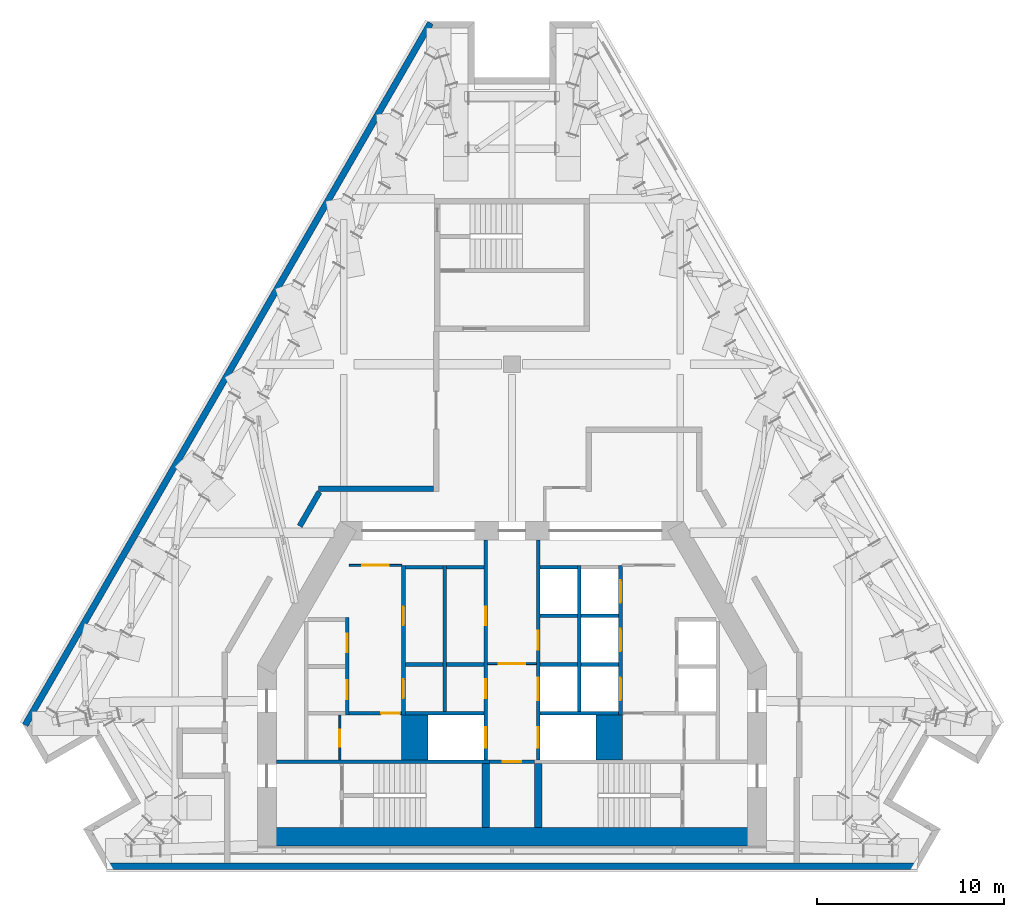
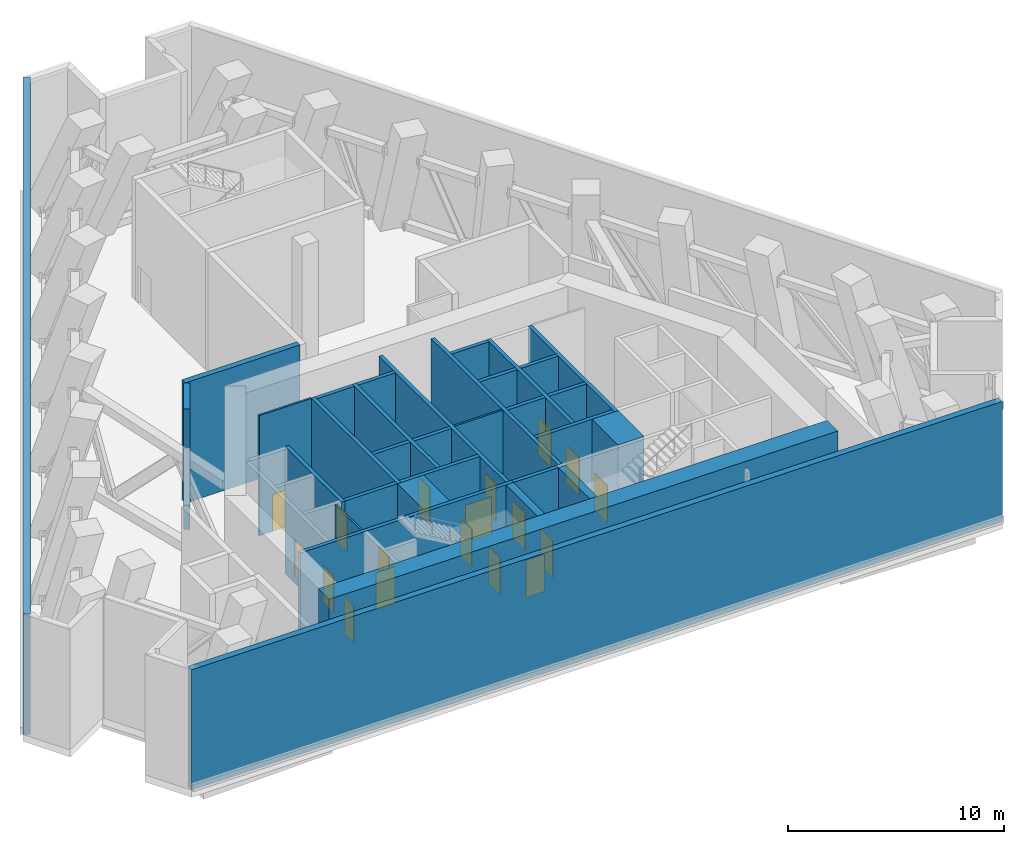
# One storey, part 5 of 13: 33 walls, 18 doors, 18 openings.
"""IFC4 building model written with IfcOpenShell, lengths in metres."""

import ifcopenshell
import ifcopenshell.guid

model = None  # the IFC model being written
_history = None  # IfcOwnerHistory: only IFC2X3 demands one
_inside = {}  # id of a spatial element -> (the spatial element, [elements in it])
_under = {}  # id of a project, library or spatial element -> (it, [spatial elements below it])
_declared = {}  # id of a project -> (the project, [libraries it declares])
_typed = {}  # id of a type object -> (the type object, [elements of that type])
_made_of = {}  # id of a material, layer set ... -> (it, [elements and type objects made of it])


def new_model(schema):
    """Start an empty IFC model of exactly this schema.

    Asked for "IFC4X3", IfcOpenShell would pick the latest addendum, in which some entities
    have other attributes; the version numbers below select the first issue.
    IFC2X3 requires an IfcOwnerHistory on every rooted entity: one is made here for all.
    """
    global model, _history
    if schema == "IFC4X3":
        model = ifcopenshell.file(schema_version=(4, 3, 0, 0))
    else:
        model = ifcopenshell.file(schema=schema)
    _inside.clear()
    _under.clear()
    _declared.clear()
    _typed.clear()
    _made_of.clear()
    _history = None
    if model.schema == "IFC2X3":
        org = make("IfcOrganization", Name="unknown")
        user = make(
            "IfcPersonAndOrganization",
            ThePerson=make("IfcPerson", FamilyName="unknown"),
            TheOrganization=org,
        )
        app = make(
            "IfcApplication",
            ApplicationDeveloper=org,
            Version="unknown",
            ApplicationFullName="unknown",
            ApplicationIdentifier="unknown",
        )
        _history = make(
            "IfcOwnerHistory",
            OwningUser=user,
            OwningApplication=app,
            ChangeAction="ADDED",
            CreationDate=0,
        )
    return model


def make(cls, **values):
    """One entity of the class cls with the attributes given. An attribute that is None is left unset."""
    return model.create_entity(
        cls, **{name: value for name, value in values.items() if value is not None}
    )


def rooted(cls, **values):
    """An entity with a GlobalId (a new one), such as an element, a storey or a relation."""
    return make(cls, GlobalId=ifcopenshell.guid.new(), OwnerHistory=_history, **values)


def si_unit(unit_type, name, prefix=None):
    """IfcSIUnit, for example si_unit("LENGTHUNIT", "METRE", prefix="MILLI")."""
    return make("IfcSIUnit", UnitType=unit_type, Prefix=prefix, Name=name)


def assignment(units):
    """IfcUnitAssignment: the units of a project."""
    return None if units is None else make("IfcUnitAssignment", Units=units)


def point(xyz):
    """IfcCartesianPoint."""
    return None if xyz is None else make("IfcCartesianPoint", Coordinates=xyz)


def direction(xyz):
    """IfcDirection."""
    return None if xyz is None else make("IfcDirection", DirectionRatios=xyz)


def frame(location, z_axis=None, x_axis=None):
    """IfcAxis2Placement3D, a coordinate frame: its origin and axes. An axis left out is left unset."""
    return make(
        "IfcAxis2Placement3D",
        Location=point(location),
        Axis=direction(z_axis),
        RefDirection=direction(x_axis),
    )


def frame_2d(location, x_axis=None):
    """IfcAxis2Placement2D, a coordinate frame in the plane: its origin and x axis."""
    return make(
        "IfcAxis2Placement2D", Location=point(location), RefDirection=direction(x_axis)
    )


def origin():
    """The frame at (0, 0, 0) with its axes left unset."""
    return frame((0.0, 0.0, 0.0))


def place(relative_to, where):
    """IfcLocalPlacement: puts the frame where relative to a parent placement (None: the world)."""
    return make(
        "IfcLocalPlacement", PlacementRelTo=relative_to, RelativePlacement=where
    )


def context(
    kind, dimensions, precision=None, world=None, true_north=None, identifier=None
):
    """IfcGeometricRepresentationContext, for example the 3D "Model" context."""
    return make(
        "IfcGeometricRepresentationContext",
        ContextIdentifier=identifier,
        ContextType=kind,
        CoordinateSpaceDimension=dimensions,
        Precision=precision,
        WorldCoordinateSystem=world,
        TrueNorth=true_north,
    )


def subcontext(parent, identifier, kind, view, scale=None):
    """IfcGeometricRepresentationSubContext, for example "Body" below "Model"."""
    return make(
        "IfcGeometricRepresentationSubContext",
        ContextIdentifier=identifier,
        ContextType=kind,
        ParentContext=parent,
        TargetScale=scale,
        TargetView=view,
    )


def project(units=None, contexts=None):
    """IfcProject with its units and contexts."""
    return rooted(
        "IfcProject",
        Name="project",
        RepresentationContexts=contexts,
        UnitsInContext=assignment(units),
    )


def spatial(cls, under=None, at=None, **own):
    """A site, building, storey or space (cls), placed at a placement, below another one or the project."""
    s = rooted(cls, ObjectPlacement=at, **own)
    if under is not None:
        _under.setdefault(under.id(), (under, []))[1].append(s)
    return s


def profile(cls, at=None, kind="AREA", **sizes):
    """A parametric profile (cls). Its sizes go by their IFC names, for example OverallWidth=200.0."""
    return make(cls, ProfileType=kind, Position=at, **sizes)


def rectangle(**sizes):
    """IfcRectangleProfileDef."""
    return profile("IfcRectangleProfileDef", **sizes)


def extrude(swept, where, along, depth):
    """IfcExtrudedAreaSolid: the profile swept, set in the frame where, extruded along a direction by depth."""
    return make(
        "IfcExtrudedAreaSolid",
        SweptArea=swept,
        Position=where,
        ExtrudedDirection=direction(along),
        Depth=depth,
    )


def shape(context_of_items, identifier, shape_type, items):
    """IfcShapeRepresentation: the items that make up one representation, for example the "Body"."""
    return make(
        "IfcShapeRepresentation",
        ContextOfItems=context_of_items,
        RepresentationIdentifier=identifier,
        RepresentationType=shape_type,
        Items=items,
    )


def material(Name=None, Category=None):
    """IfcMaterial."""
    return make("IfcMaterial", Name=Name, Category=Category)


def layer(
    of_material, thickness, ventilated=None, Name=None, Category=None, Priority=None
):
    """IfcMaterialLayer: one layer of a wall or slab, of a material (None: an air gap)."""
    return make(
        "IfcMaterialLayer",
        Material=of_material,
        LayerThickness=thickness,
        IsVentilated=ventilated,
        Name=Name,
        Category=Category,
        Priority=Priority,
    )


def layer_set(layers, Name=None):
    """IfcMaterialLayerSet."""
    return make("IfcMaterialLayerSet", MaterialLayers=layers, LayerSetName=Name)


def made_of(thing, what):
    """Note that an element or type object is made of a material, layer set ...; save() writes the relation."""
    if what is not None:
        _made_of.setdefault(what.id(), (what, []))[1].append(thing)
    return thing


def type_object(cls, material=None, **own):
    """A type object (cls), such as IfcWallType, which elements share."""
    return made_of(rooted(cls, **own), material)


def element(
    cls,
    number,
    at=None,
    inside=None,
    cuts=None,
    type_object=None,
    material=None,
    context=None,
    identifier="Body",
    shape_type=None,
    held_by="IfcProductDefinitionShape",
    body=None,
    shapes=None,
    **own,
):
    """One element of the class cls, such as IfcWall. Its Tag is "e" and its number.

    at: its placement. inside: the storey or other place that contains it. cuts: it is an
    opening in that element (IfcRelVoidsElement). A single representation is given by context,
    identifier, shape_type and body (its items); several are given by shapes. held_by: the class
    of the entity that holds the representations. save() writes the other relations.
    """
    e = rooted(cls, Tag="e%d" % number, ObjectPlacement=at, **own)
    if body is not None:
        shapes = [shape(context, identifier, shape_type, body)]
    if shapes is not None:
        e.Representation = make(held_by, Representations=shapes)
    if inside is not None:
        _inside.setdefault(inside.id(), (inside, []))[1].append(e)
    if cuts is not None:
        rooted(
            "IfcRelVoidsElement", RelatingBuildingElement=cuts, RelatedOpeningElement=e
        )
    if type_object is not None:
        _typed.setdefault(type_object.id(), (type_object, []))[1].append(e)
    return made_of(e, material)


def fill(opening, filler):
    """IfcRelFillsElement: the door or window that sits in an opening."""
    return rooted(
        "IfcRelFillsElement",
        RelatingOpeningElement=opening,
        RelatedBuildingElement=filler,
    )


def aggregate(whole, parts):
    """IfcRelAggregates: a whole, such as a stair, and the parts it consists of."""
    return rooted("IfcRelAggregates", RelatingObject=whole, RelatedObjects=parts)


def save(model, path):
    """Write the relations noted so far, then the file.

    IfcRelAggregates (storeys below a building ...), IfcRelContainedInSpatialStructure (elements
    in a storey), IfcRelDefinesByType, IfcRelAssociatesMaterial and IfcRelDeclares: one each for
    every whole, place, type object, material and project.
    """
    for whole, parts in _under.values():
        aggregate(whole, parts)
    for where, things in _inside.values():
        rooted(
            "IfcRelContainedInSpatialStructure",
            RelatedElements=things,
            RelatingStructure=where,
        )
    for kind, things in _typed.values():
        rooted("IfcRelDefinesByType", RelatedObjects=things, RelatingType=kind)
    for what, things in _made_of.values():
        rooted("IfcRelAssociatesMaterial", RelatedObjects=things, RelatingMaterial=what)
    for by, libraries in _declared.values():
        rooted("IfcRelDeclares", RelatingContext=by, RelatedDefinitions=libraries)
    model.write(path)


model = new_model("IFC4")

# Units and contexts
model_context = context("Model", 3, precision=1e-05, world=origin(), true_north=direction((0.0, 1.0)))
body_context = subcontext(model_context, "Body", "Model", "MODEL_VIEW")
ifc_project = project(units=[si_unit("LENGTHUNIT", "METRE"), si_unit("AREAUNIT", "SQUARE_METRE"), si_unit("VOLUMEUNIT", "CUBIC_METRE"), si_unit("PLANEANGLEUNIT", "RADIAN"), si_unit("MASSUNIT", "GRAM", prefix="KILO")], contexts=[model_context])

# Site, building, storey
site_placement = place(None, origin())
site = spatial("IfcSite", under=ifc_project, at=site_placement, CompositionType="ELEMENT")
building_placement = place(site_placement, origin())
building = spatial("IfcBuilding", under=site, at=building_placement, Name="Fogline Exchange Tower", CompositionType="ELEMENT")
storey_placement = place(building_placement, frame((0.0, 0.0, 259.5)))
storey = spatial("IfcBuildingStorey", under=building, at=storey_placement, Name="L59", CompositionType="ELEMENT", Elevation=259.5)

# Wall, opening, door
ifc_material_1 = material(Name="Blockwork partition", Category="masonry")
ifc_layer_1 = layer(ifc_material_1, 0.10009765625)
ifc_layer_set_1 = layer_set([ifc_layer_1], Name="CW10")
wall_type_1 = type_object("IfcWallType", Name="CW10", PredefinedType="PARTITIONING", material=ifc_layer_set_1)
wall_1_placement = place(storey_placement, frame((-8.699951171875, 16.25, 0.0), z_axis=(0.0, 0.0, 1.0), x_axis=(1.0, 0.0, 0.0)))
wall_1 = element("IfcWall", 1, at=wall_1_placement, inside=storey, type_object=wall_type_1, Name="Lift lobby partition", PredefinedType="PARTITIONING", context=body_context, shape_type="SweptSolid", body=[
    extrude(rectangle(XDim=2.800048828125, YDim=0.10009765625, at=frame_2d((1.39990234375, 0.0))), origin(), (0.0, 0.0, 1.0), 6.800048828125),
])
opening_1_placement = place(wall_1_placement, frame((0.699951171875, 0.0, 0.0)))
opening_1 = element("IfcOpeningElement", 2, at=opening_1_placement, cuts=wall_1, Name="Opening L59-C009", PredefinedType="OPENING", context=body_context, shape_type="SweptSolid", body=[
    extrude(rectangle(XDim=1.39990234375, YDim=2.10009765625, at=frame_2d((0.699951171875, 1.050048828125))), frame((0.0, 0.06005859375, 0.0), z_axis=(0.0, -1.0, 0.0), x_axis=(1.0, 0.0, 0.0)), (0.0, 0.0, 1.0), 0.1201171875),
])
ifc_material_2 = material(Name="Steel and timber fire door", Category="steel")
door_type_1 = type_object("IfcDoorType", Name="D-LB1", OperationType="DOUBLE_DOOR_SINGLE_SWING", PredefinedType="DOOR", material=ifc_material_2)
door_1_placement = place(opening_1_placement, origin())
door_1 = element("IfcDoor", 3, at=door_1_placement, inside=storey, type_object=door_type_1, Name="Door to lift lobby", OperationType="DOUBLE_DOOR_SINGLE_SWING", OverallHeight=2.10009765625, OverallWidth=1.39990234375, PredefinedType="DOOR", context=body_context, shape_type="SweptSolid", body=[
    extrude(rectangle(XDim=1.39990234375, YDim=2.10009765625, at=frame_2d((0.699951171875, 1.050048828125))), frame((0.0, 0.02490234375, 0.0), z_axis=(0.0, -1.0, 0.0), x_axis=(1.0, 0.0, 0.0)), (0.0, 0.0, 1.0), 0.050048828125),
])
fill(opening_1, door_1)

wall_2_placement = place(storey_placement, frame((-9.199951171875, 5.85009765625, 0.0), z_axis=(0.0, 0.0, 1.0), x_axis=(0.0, 1.0, 0.0)))
wall_2 = element("IfcWall", 4, at=wall_2_placement, inside=storey, type_object=wall_type_1, Name="WC partition", PredefinedType="PARTITIONING", context=body_context, shape_type="SweptSolid", body=[
    extrude(rectangle(XDim=2.39990234375, YDim=0.10009765625, at=frame_2d((1.199951171875, 0.0))), origin(), (0.0, 0.0, 1.0), 6.800048828125),
])
opening_2_placement = place(wall_2_placement, frame((0.699951171875, 0.0, 0.0)))
opening_2 = element("IfcOpeningElement", 5, at=opening_2_placement, cuts=wall_2, Name="Opening L59-C011", PredefinedType="OPENING", context=body_context, shape_type="SweptSolid", body=[
    extrude(rectangle(XDim=0.89990234375, YDim=2.10009765625, at=frame_2d((0.449951171875, 1.050048828125))), frame((0.0, 0.06005859375, 0.0), z_axis=(0.0, -1.0, 0.0), x_axis=(1.0, 0.0, 0.0)), (0.0, 0.0, 1.0), 0.1201171875),
])
door_type_2 = type_object("IfcDoorType", Name="D-CS1", OperationType="SINGLE_SWING_RIGHT", PredefinedType="DOOR", material=ifc_material_2)
door_2_placement = place(opening_2_placement, origin())
door_2 = element("IfcDoor", 6, at=door_2_placement, inside=storey, type_object=door_type_2, Name="Door to Plumbing Plant Room", OperationType="SINGLE_SWING_LEFT", OverallHeight=2.10009765625, OverallWidth=0.89990234375, PredefinedType="DOOR", context=body_context, shape_type="SweptSolid", body=[
    extrude(rectangle(XDim=0.89990234375, YDim=2.10009765625, at=frame_2d((0.449951171875, 1.050048828125))), frame((0.0, 0.02490234375, 0.0), z_axis=(0.0, -1.0, 0.0), x_axis=(1.0, 0.0, 0.0)), (0.0, 0.0, 1.0), 0.050048828125),
])
fill(opening_2, door_2)

wall_3_placement = place(storey_placement, frame((-1.300048828125, 11.0, 0.0), z_axis=(0.0, 0.0, 1.0), x_axis=(1.0, 0.0, 0.0)))
wall_3 = element("IfcWall", 7, at=wall_3_placement, inside=storey, type_object=wall_type_1, Name="Lift lobby partition", PredefinedType="PARTITIONING", context=body_context, shape_type="SweptSolid", body=[
    extrude(rectangle(XDim=2.60009765625, YDim=0.10009765625, at=frame_2d((1.300048828125, 0.0))), origin(), (0.0, 0.0, 1.0), 6.800048828125),
])
opening_3_placement = place(wall_3_placement, frame((0.60009765625, 0.0, 0.0)))
opening_3 = element("IfcOpeningElement", 8, at=opening_3_placement, cuts=wall_3, Name="Opening L59-C021", PredefinedType="OPENING", context=body_context, shape_type="SweptSolid", body=[
    extrude(rectangle(XDim=1.39990234375, YDim=2.10009765625, at=frame_2d((0.699951171875, 1.050048828125))), frame((0.0, 0.06005859375, 0.0), z_axis=(0.0, -1.0, 0.0), x_axis=(1.0, 0.0, 0.0)), (0.0, 0.0, 1.0), 0.1201171875),
])
door_3_placement = place(opening_3_placement, frame((1.39990234375, 0.0, 0.0), z_axis=(0.0, 0.0, 1.0), x_axis=(-1.0, 0.0, 0.0)))
door_3 = element("IfcDoor", 9, at=door_3_placement, inside=storey, type_object=door_type_1, Name="Door to firefighting lift lobby", OperationType="DOUBLE_DOOR_SINGLE_SWING", OverallHeight=2.10009765625, OverallWidth=1.39990234375, PredefinedType="DOOR", context=body_context, shape_type="SweptSolid", body=[
    extrude(rectangle(XDim=1.39990234375, YDim=2.10009765625, at=frame_2d((0.699951171875, 1.050048828125))), frame((0.0, 0.02490234375, 0.0), z_axis=(0.0, -1.0, 0.0), x_axis=(1.0, 0.0, 0.0)), (0.0, 0.0, 1.0), 0.050048828125),
])
fill(opening_3, door_3)

# Walls
ifc_material_3 = material(Name="Concrete C60", Category="concrete")
ifc_layer_2 = layer(ifc_material_3, 1.39990234375)
ifc_layer_set_2 = layer_set([ifc_layer_2], Name="CW140")
wall_type_2 = type_object("IfcWallType", Name="CW140", PredefinedType="SOLIDWALL", material=ifc_layer_set_2)
for number, where, z_axis, x_axis, name in (
    (10, (-5.199951171875, 5.85009765625, -0.39990234375), (0.0, 0.0, 1.0), (0.0, 1.0, 0.0), "Lift shaft block wall"),
    (11, (5.199951171875, 5.85009765625, -0.39990234375), (0.0, 0.0, 1.0), (0.0, 1.0, 0.0), "Lift shaft block wall"),
):
    element("IfcWall", number, at=place(storey_placement, frame(where, z_axis=z_axis, x_axis=x_axis)), inside=storey, type_object=wall_type_2, Name=name, PredefinedType="SOLIDWALL", context=body_context, shape_type="SweptSolid", body=[
        extrude(rectangle(XDim=2.39990234375, YDim=1.39990234375, at=frame_2d((1.199951171875, 0.0))), origin(), (0.0, 0.0, 1.0), 7.199951171875),
    ])
ifc_material_4 = material(Name="Concrete C40", Category="concrete")
ifc_layer_3 = layer(ifc_material_4, 0.199951171875)
ifc_layer_set_3 = layer_set([ifc_layer_3], Name="CW20")
wall_type_3 = type_object("IfcWallType", Name="CW20", PredefinedType="SOLIDWALL", material=ifc_layer_set_3)
for number, where, z_axis, x_axis, name in (
    (12, (-5.699951171875, 10.949951171875, 0.0), (0.0, 0.0, 1.0), (1.0, 0.0, 0.0), "Service room wall"),
    (13, (-3.5, 10.949951171875, 0.0), (0.0, 0.0, 1.0), (1.0, 0.0, 0.0), "Service room wall"),
):
    element("IfcWall", number, at=place(storey_placement, frame(where, z_axis=z_axis, x_axis=x_axis)), inside=storey, type_object=wall_type_3, Name=name, PredefinedType="SOLIDWALL", context=body_context, shape_type="SweptSolid", body=[
        extrude(rectangle(XDim=2.0, YDim=0.199951171875, at=frame_2d((1.0, 0.0))), origin(), (0.0, 0.0, 1.0), 6.800048828125),
    ])

# Wall, opening, door
wall_4_placement = place(storey_placement, frame((-8.699951171875, 8.35009765625, 0.0), z_axis=(0.0, 0.0, 1.0), x_axis=(1.0, 0.0, 0.0)))
wall_4 = element("IfcWall", 14, at=wall_4_placement, inside=storey, type_object=wall_type_3, Name="WC wall", PredefinedType="SOLIDWALL", context=body_context, shape_type="SweptSolid", body=[
    extrude(rectangle(XDim=2.800048828125, YDim=0.199951171875, at=frame_2d((1.39990234375, 0.0))), origin(), (0.0, 0.0, 1.0), 6.800048828125),
])
opening_4_placement = place(wall_4_placement, frame((1.699951171875, 0.0, 0.0)))
opening_4 = element("IfcOpeningElement", 15, at=opening_4_placement, cuts=wall_4, Name="Opening L59-C010", PredefinedType="OPENING", context=body_context, shape_type="SweptSolid", body=[
    extrude(rectangle(XDim=1.0, YDim=2.10009765625, at=frame_2d((0.5, 1.050048828125))), frame((0.0, 0.10986328125, 0.0), z_axis=(0.0, -1.0, 0.0), x_axis=(1.0, 0.0, 0.0)), (0.0, 0.0, 1.0), 0.219970703125),
])
door_type_3 = type_object("IfcDoorType", Name="D-WC1", OperationType="SINGLE_SWING_LEFT", PredefinedType="DOOR", material=ifc_material_2)
door_4_placement = place(opening_4_placement, frame((1.0, 0.0, 0.0), z_axis=(0.0, 0.0, 1.0), x_axis=(-1.0, 0.0, 0.0)))
door_4 = element("IfcDoor", 16, at=door_4_placement, inside=storey, type_object=door_type_3, Name="Door to Men's WC", OperationType="SINGLE_SWING_LEFT", OverallHeight=2.10009765625, OverallWidth=1.0, PredefinedType="DOOR", context=body_context, shape_type="SweptSolid", body=[
    extrude(rectangle(XDim=1.0, YDim=2.10009765625, at=frame_2d((0.5, 1.050048828125))), frame((0.0, 0.02490234375, 0.0), z_axis=(0.0, -1.0, 0.0), x_axis=(1.0, 0.0, 0.0)), (0.0, 0.0, 1.0), 0.050048828125),
])
fill(opening_4, door_4)

# Wall
ifc_layer_4 = layer(ifc_material_4, 0.199951171875)
ifc_layer_set_4 = layer_set([ifc_layer_4], Name="CW20R")
wall_type_4 = type_object("IfcWallType", Name="CW20R", PredefinedType="SOLIDWALL", material=ifc_layer_set_4)
wall_5_placement = place(storey_placement, frame((-12.60009765625, 5.75, -0.39990234375), z_axis=(0.0, 0.0, 1.0), x_axis=(1.0, 0.0, 0.0)))
element("IfcWall", 17, at=wall_5_placement, inside=storey, type_object=wall_type_4, Name="Stair enclosure wall", PredefinedType="SOLIDWALL", context=body_context, shape_type="SweptSolid", body=[
    extrude(rectangle(XDim=11.400146484375, YDim=0.199951171875, at=frame_2d((5.7001953125, 0.0))), origin(), (0.0, 0.0, 1.0), 7.199951171875),
])

# Wall, opening, door
wall_6_placement = place(storey_placement, frame((-1.199951171875, 5.75, -0.39990234375), z_axis=(0.0, 0.0, 1.0), x_axis=(1.0, 0.0, 0.0)))
wall_6 = element("IfcWall", 18, at=wall_6_placement, inside=storey, type_object=wall_type_4, Name="Stair enclosure wall", PredefinedType="SOLIDWALL", context=body_context, shape_type="SweptSolid", body=[
    extrude(rectangle(XDim=2.39990234375, YDim=0.199951171875, at=frame_2d((1.199951171875, 0.0))), origin(), (0.0, 0.0, 1.0), 7.199951171875),
])
opening_5_placement = place(wall_6_placement, frame((0.699951171875, 0.0, 0.39990234375)))
opening_5 = element("IfcOpeningElement", 19, at=opening_5_placement, cuts=wall_6, Name="Opening L59-C008", PredefinedType="OPENING", context=body_context, shape_type="SweptSolid", body=[
    extrude(rectangle(XDim=1.0, YDim=2.10009765625, at=frame_2d((0.5, 1.050048828125))), frame((0.0, 0.10986328125, 0.0), z_axis=(0.0, -1.0, 0.0), x_axis=(1.0, 0.0, 0.0)), (0.0, 0.0, 1.0), 0.219970703125),
])
door_type_4 = type_object("IfcDoorType", Name="D-RM1", OperationType="SINGLE_SWING_LEFT", PredefinedType="DOOR", material=ifc_material_2)
door_5_placement = place(opening_5_placement, frame((1.0, 0.0, 0.0), z_axis=(0.0, 0.0, 1.0), x_axis=(-1.0, 0.0, 0.0)))
door_5 = element("IfcDoor", 20, at=door_5_placement, inside=storey, type_object=door_type_4, Name="Door to Transformer Room", OperationType="SINGLE_SWING_RIGHT", OverallHeight=2.10009765625, OverallWidth=1.0, PredefinedType="DOOR", context=body_context, shape_type="SweptSolid", body=[
    extrude(rectangle(XDim=1.0, YDim=2.10009765625, at=frame_2d((0.5, 1.050048828125))), frame((0.0, 0.02490234375, 0.0), z_axis=(0.0, -1.0, 0.0), x_axis=(1.0, 0.0, 0.0)), (0.0, 0.0, 1.0), 0.050048828125),
])
fill(opening_5, door_5)

# Wall, openings, doors
ifc_layer_5 = layer(ifc_material_4, 0.199951171875)
ifc_layer_set_5 = layer_set([ifc_layer_5], Name="CW20S")
wall_type_5 = type_object("IfcWallType", Name="CW20S", PredefinedType="SOLIDWALL", material=ifc_layer_set_5)
wall_7_placement = place(storey_placement, frame((-8.800048828125, 8.25, -0.39990234375), z_axis=(0.0, 0.0, 1.0), x_axis=(0.0, 1.0, 0.0)))
wall_7 = element("IfcWall", 21, at=wall_7_placement, inside=storey, type_object=wall_type_5, Name="Lift shaft wall", PredefinedType="SOLIDWALL", context=body_context, shape_type="SweptSolid", body=[
    extrude(rectangle(XDim=5.199951171875, YDim=0.199951171875, at=frame_2d((2.60009765625, 0.0))), origin(), (0.0, 0.0, 1.0), 7.199951171875),
])
opening_6_placement = place(wall_7_placement, frame((0.85009765625, 0.0, 0.39990234375)))
opening_6 = element("IfcOpeningElement", 22, at=opening_6_placement, cuts=wall_7, Name="Opening L59-C001", PredefinedType="OPENING", context=body_context, shape_type="SweptSolid", body=[
    extrude(rectangle(XDim=1.0, YDim=2.10009765625, at=frame_2d((0.5, 1.050048828125))), frame((0.0, 0.10986328125, 0.0), z_axis=(0.0, -1.0, 0.0), x_axis=(1.0, 0.0, 0.0)), (0.0, 0.0, 1.0), 0.219970703125),
])
opening_7_placement = place(wall_7_placement, frame((3.35009765625, 0.0, 0.39990234375)))
opening_7 = element("IfcOpeningElement", 23, at=opening_7_placement, cuts=wall_7, Name="Opening L59-C002", PredefinedType="OPENING", context=body_context, shape_type="SweptSolid", body=[
    extrude(rectangle(XDim=1.0, YDim=2.10009765625, at=frame_2d((0.5, 1.050048828125))), frame((0.0, 0.10986328125, 0.0), z_axis=(0.0, -1.0, 0.0), x_axis=(1.0, 0.0, 0.0)), (0.0, 0.0, 1.0), 0.219970703125),
])
door_6_placement = place(opening_6_placement, origin())
door_6 = element("IfcDoor", 24, at=door_6_placement, inside=storey, type_object=door_type_4, Name="Door to Plumbing Plant Room", OperationType="SINGLE_SWING_RIGHT", OverallHeight=2.10009765625, OverallWidth=1.0, PredefinedType="DOOR", context=body_context, shape_type="SweptSolid", body=[
    extrude(rectangle(XDim=1.0, YDim=2.10009765625, at=frame_2d((0.5, 1.050048828125))), frame((0.0, 0.02490234375, 0.0), z_axis=(0.0, -1.0, 0.0), x_axis=(1.0, 0.0, 0.0)), (0.0, 0.0, 1.0), 0.050048828125),
])
fill(opening_6, door_6)
door_7_placement = place(opening_7_placement, origin())
door_7 = element("IfcDoor", 25, at=door_7_placement, inside=storey, type_object=door_type_4, Name="Door to Pump Plant Room", OperationType="SINGLE_SWING_RIGHT", OverallHeight=2.10009765625, OverallWidth=1.0, PredefinedType="DOOR", context=body_context, shape_type="SweptSolid", body=[
    extrude(rectangle(XDim=1.0, YDim=2.10009765625, at=frame_2d((0.5, 1.050048828125))), frame((0.0, 0.02490234375, 0.0), z_axis=(0.0, -1.0, 0.0), x_axis=(1.0, 0.0, 0.0)), (0.0, 0.0, 1.0), 0.050048828125),
])
fill(opening_7, door_7)

wall_8_placement = place(storey_placement, frame((-5.800048828125, 8.25, -0.39990234375), z_axis=(0.0, 0.0, 1.0), x_axis=(0.0, 1.0, 0.0)))
wall_8 = element("IfcWall", 26, at=wall_8_placement, inside=storey, type_object=wall_type_5, Name="Lift shaft wall", PredefinedType="SOLIDWALL", context=body_context, shape_type="SweptSolid", body=[
    extrude(rectangle(XDim=8.0, YDim=0.199951171875, at=frame_2d((4.0, 0.0))), origin(), (0.0, 0.0, 1.0), 7.199951171875),
])
opening_8_placement = place(wall_8_placement, frame((0.89990234375, 0.0, 0.39990234375)))
opening_8 = element("IfcOpeningElement", 27, at=opening_8_placement, cuts=wall_8, Name="Opening L59-C003", PredefinedType="OPENING", context=body_context, shape_type="SweptSolid", body=[
    extrude(rectangle(XDim=1.0, YDim=2.10009765625, at=frame_2d((0.5, 1.050048828125))), frame((0.0, 0.10986328125, 0.0), z_axis=(0.0, -1.0, 0.0), x_axis=(1.0, 0.0, 0.0)), (0.0, 0.0, 1.0), 0.219970703125),
])
opening_9_placement = place(wall_8_placement, frame((4.800048828125, 0.0, 0.39990234375)))
opening_9 = element("IfcOpeningElement", 28, at=opening_9_placement, cuts=wall_8, Name="Opening L59-C004", PredefinedType="OPENING", context=body_context, shape_type="SweptSolid", body=[
    extrude(rectangle(XDim=1.0, YDim=2.10009765625, at=frame_2d((0.5, 1.050048828125))), frame((0.0, 0.10986328125, 0.0), z_axis=(0.0, -1.0, 0.0), x_axis=(1.0, 0.0, 0.0)), (0.0, 0.0, 1.0), 0.219970703125),
])
door_8_placement = place(opening_8_placement, frame((1.0, 0.0, 0.0), z_axis=(0.0, 0.0, 1.0), x_axis=(-1.0, 0.0, 0.0)))
door_8 = element("IfcDoor", 29, at=door_8_placement, inside=storey, type_object=door_type_4, Name="Door to Plant Room", OperationType="SINGLE_SWING_LEFT", OverallHeight=2.10009765625, OverallWidth=1.0, PredefinedType="DOOR", context=body_context, shape_type="SweptSolid", body=[
    extrude(rectangle(XDim=1.0, YDim=2.10009765625, at=frame_2d((0.5, 1.050048828125))), frame((0.0, 0.02490234375, 0.0), z_axis=(0.0, -1.0, 0.0), x_axis=(1.0, 0.0, 0.0)), (0.0, 0.0, 1.0), 0.050048828125),
])
fill(opening_8, door_8)
door_9_placement = place(opening_9_placement, frame((1.0, 0.0, 0.0), z_axis=(0.0, 0.0, 1.0), x_axis=(-1.0, 0.0, 0.0)))
door_9 = element("IfcDoor", 30, at=door_9_placement, inside=storey, type_object=door_type_4, Name="Door to Mechanical Room", OperationType="SINGLE_SWING_RIGHT", OverallHeight=2.10009765625, OverallWidth=1.0, PredefinedType="DOOR", context=body_context, shape_type="SweptSolid", body=[
    extrude(rectangle(XDim=1.0, YDim=2.10009765625, at=frame_2d((0.5, 1.050048828125))), frame((0.0, 0.02490234375, 0.0), z_axis=(0.0, -1.0, 0.0), x_axis=(1.0, 0.0, 0.0)), (0.0, 0.0, 1.0), 0.050048828125),
])
fill(opening_9, door_9)

wall_9_placement = place(storey_placement, frame((5.800048828125, 8.25, -0.39990234375), z_axis=(0.0, 0.0, 1.0), x_axis=(0.0, 1.0, 0.0)))
wall_9 = element("IfcWall", 31, at=wall_9_placement, inside=storey, type_object=wall_type_5, Name="Lift shaft wall", PredefinedType="SOLIDWALL", context=body_context, shape_type="SweptSolid", body=[
    extrude(rectangle(XDim=8.0, YDim=0.199951171875, at=frame_2d((4.0, 0.0))), origin(), (0.0, 0.0, 1.0), 7.199951171875),
])
opening_10_placement = place(wall_9_placement, frame((0.800048828125, 0.0, 0.39990234375)))
opening_10 = element("IfcOpeningElement", 32, at=opening_10_placement, cuts=wall_9, Name="Opening L59-LD04", PredefinedType="OPENING", context=body_context, shape_type="SweptSolid", body=[
    extrude(rectangle(XDim=1.199951171875, YDim=2.10009765625, at=frame_2d((0.60009765625, 1.050048828125))), frame((0.0, 0.10986328125, 0.0), z_axis=(0.0, -1.0, 0.0), x_axis=(1.0, 0.0, 0.0)), (0.0, 0.0, 1.0), 0.219970703125),
])
opening_11_placement = place(wall_9_placement, frame((3.39990234375, 0.0, 0.39990234375)))
opening_11 = element("IfcOpeningElement", 33, at=opening_11_placement, cuts=wall_9, Name="Opening L59-LD05", PredefinedType="OPENING", context=body_context, shape_type="SweptSolid", body=[
    extrude(rectangle(XDim=1.199951171875, YDim=2.10009765625, at=frame_2d((0.60009765625, 1.050048828125))), frame((0.0, 0.10986328125, 0.0), z_axis=(0.0, -1.0, 0.0), x_axis=(1.0, 0.0, 0.0)), (0.0, 0.0, 1.0), 0.219970703125),
])
opening_12_placement = place(wall_9_placement, frame((6.0, 0.0, 0.39990234375)))
opening_12 = element("IfcOpeningElement", 34, at=opening_12_placement, cuts=wall_9, Name="Opening L59-LD06", PredefinedType="OPENING", context=body_context, shape_type="SweptSolid", body=[
    extrude(rectangle(XDim=1.199951171875, YDim=2.10009765625, at=frame_2d((0.60009765625, 1.050048828125))), frame((0.0, 0.10986328125, 0.0), z_axis=(0.0, -1.0, 0.0), x_axis=(1.0, 0.0, 0.0)), (0.0, 0.0, 1.0), 0.219970703125),
])
door_type_5 = type_object("IfcDoorType", Name="LD1", OperationType="SLIDING_TO_LEFT", PredefinedType="DOOR", material=ifc_material_2)
door_10_placement = place(opening_10_placement, origin())
door_10 = element("IfcDoor", 35, at=door_10_placement, inside=storey, type_object=door_type_5, Name="Landing door MR1", OperationType="SLIDING_TO_LEFT", OverallHeight=2.10009765625, OverallWidth=1.199951171875, PredefinedType="DOOR", context=body_context, shape_type="SweptSolid", body=[
    extrude(rectangle(XDim=1.199951171875, YDim=2.10009765625, at=frame_2d((0.60009765625, 1.050048828125))), frame((0.0, 0.02490234375, 0.0), z_axis=(0.0, -1.0, 0.0), x_axis=(1.0, 0.0, 0.0)), (0.0, 0.0, 1.0), 0.050048828125),
])
fill(opening_10, door_10)
door_11_placement = place(opening_11_placement, origin())
door_11 = element("IfcDoor", 36, at=door_11_placement, inside=storey, type_object=door_type_5, Name="Landing door MR2", OperationType="SLIDING_TO_LEFT", OverallHeight=2.10009765625, OverallWidth=1.199951171875, PredefinedType="DOOR", context=body_context, shape_type="SweptSolid", body=[
    extrude(rectangle(XDim=1.199951171875, YDim=2.10009765625, at=frame_2d((0.60009765625, 1.050048828125))), frame((0.0, 0.02490234375, 0.0), z_axis=(0.0, -1.0, 0.0), x_axis=(1.0, 0.0, 0.0)), (0.0, 0.0, 1.0), 0.050048828125),
])
fill(opening_11, door_11)
door_12_placement = place(opening_12_placement, origin())
door_12 = element("IfcDoor", 37, at=door_12_placement, inside=storey, type_object=door_type_5, Name="Landing door MR3", OperationType="SLIDING_TO_LEFT", OverallHeight=2.10009765625, OverallWidth=1.199951171875, PredefinedType="DOOR", context=body_context, shape_type="SweptSolid", body=[
    extrude(rectangle(XDim=1.199951171875, YDim=2.10009765625, at=frame_2d((0.60009765625, 1.050048828125))), frame((0.0, 0.02490234375, 0.0), z_axis=(0.0, -1.0, 0.0), x_axis=(1.0, 0.0, 0.0)), (0.0, 0.0, 1.0), 0.050048828125),
])
fill(opening_12, door_12)

# Walls
for number, where, z_axis, x_axis, name in (
    (38, (-3.60009765625, 8.449951171875, -0.39990234375), (0.0, 0.0, 1.0), (0.0, 1.0, 0.0), "Lift shaft wall"),
    (39, (3.60009765625, 8.449951171875, -0.39990234375), (0.0, 0.0, 1.0), (0.0, 1.0, 0.0), "Lift shaft wall"),
):
    element("IfcWall", number, at=place(storey_placement, frame(where, z_axis=z_axis, x_axis=x_axis)), inside=storey, type_object=wall_type_5, Name=name, PredefinedType="SOLIDWALL", context=body_context, shape_type="SweptSolid", body=[
        extrude(rectangle(XDim=7.800048828125, YDim=0.199951171875, at=frame_2d((3.89990234375, 0.0))), origin(), (0.0, 0.0, 1.0), 7.199951171875),
    ])

# Wall, openings, doors
wall_10_placement = place(storey_placement, frame((-1.39990234375, 5.85009765625, -0.39990234375), z_axis=(0.0, 0.0, 1.0), x_axis=(0.0, 1.0, 0.0)))
wall_10 = element("IfcWall", 40, at=wall_10_placement, inside=storey, type_object=wall_type_5, Name="Lift lobby wall", PredefinedType="SOLIDWALL", context=body_context, shape_type="SweptSolid", body=[
    extrude(rectangle(XDim=11.75, YDim=0.199951171875, at=frame_2d((5.875, 0.0))), origin(), (0.0, 0.0, 1.0), 7.199951171875),
])
opening_13_placement = place(wall_10_placement, frame((0.64990234375, 0.0, 0.39990234375)))
opening_13 = element("IfcOpeningElement", 41, at=opening_13_placement, cuts=wall_10, Name="Opening L59-LD01", PredefinedType="OPENING", context=body_context, shape_type="SweptSolid", body=[
    extrude(rectangle(XDim=1.10009765625, YDim=2.10009765625, at=frame_2d((0.550048828125, 1.050048828125))), frame((0.0, 0.10986328125, 0.0), z_axis=(0.0, -1.0, 0.0), x_axis=(1.0, 0.0, 0.0)), (0.0, 0.0, 1.0), 0.219970703125),
])
opening_14_placement = place(wall_10_placement, frame((3.300048828125, 0.0, 0.39990234375)))
opening_14 = element("IfcOpeningElement", 42, at=opening_14_placement, cuts=wall_10, Name="Opening L59-C005", PredefinedType="OPENING", context=body_context, shape_type="SweptSolid", body=[
    extrude(rectangle(XDim=1.0, YDim=2.10009765625, at=frame_2d((0.5, 1.050048828125))), frame((0.0, 0.10986328125, 0.0), z_axis=(0.0, -1.0, 0.0), x_axis=(1.0, 0.0, 0.0)), (0.0, 0.0, 1.0), 0.219970703125),
])
opening_15_placement = place(wall_10_placement, frame((7.199951171875, 0.0, 0.39990234375)))
opening_15 = element("IfcOpeningElement", 43, at=opening_15_placement, cuts=wall_10, Name="Opening L59-C006", PredefinedType="OPENING", context=body_context, shape_type="SweptSolid", body=[
    extrude(rectangle(XDim=1.0, YDim=2.10009765625, at=frame_2d((0.5, 1.050048828125))), frame((0.0, 0.10986328125, 0.0), z_axis=(0.0, -1.0, 0.0), x_axis=(1.0, 0.0, 0.0)), (0.0, 0.0, 1.0), 0.219970703125),
])
door_13_placement = place(opening_14_placement, origin())
door_13 = element("IfcDoor", 44, at=door_13_placement, inside=storey, type_object=door_type_4, Name="Door to AHU Room", OperationType="SINGLE_SWING_LEFT", OverallHeight=2.10009765625, OverallWidth=1.0, PredefinedType="DOOR", context=body_context, shape_type="SweptSolid", body=[
    extrude(rectangle(XDim=1.0, YDim=2.10009765625, at=frame_2d((0.5, 1.050048828125))), frame((0.0, 0.02490234375, 0.0), z_axis=(0.0, -1.0, 0.0), x_axis=(1.0, 0.0, 0.0)), (0.0, 0.0, 1.0), 0.050048828125),
])
fill(opening_14, door_13)
door_14_placement = place(opening_15_placement, origin())
door_14 = element("IfcDoor", 45, at=door_14_placement, inside=storey, type_object=door_type_4, Name="Door to Transformer Room", OperationType="SINGLE_SWING_LEFT", OverallHeight=2.10009765625, OverallWidth=1.0, PredefinedType="DOOR", context=body_context, shape_type="SweptSolid", body=[
    extrude(rectangle(XDim=1.0, YDim=2.10009765625, at=frame_2d((0.5, 1.050048828125))), frame((0.0, 0.02490234375, 0.0), z_axis=(0.0, -1.0, 0.0), x_axis=(1.0, 0.0, 0.0)), (0.0, 0.0, 1.0), 0.050048828125),
])
fill(opening_15, door_14)
door_type_6 = type_object("IfcDoorType", Name="LD2", OperationType="SLIDING_TO_RIGHT", PredefinedType="DOOR", material=ifc_material_2)
door_15_placement = place(opening_13_placement, origin())
door_15 = element("IfcDoor", 46, at=door_15_placement, inside=storey, type_object=door_type_6, Name="Landing door FF1", OperationType="SLIDING_TO_RIGHT", OverallHeight=2.10009765625, OverallWidth=1.10009765625, PredefinedType="DOOR", context=body_context, shape_type="SweptSolid", body=[
    extrude(rectangle(XDim=1.10009765625, YDim=2.10009765625, at=frame_2d((0.550048828125, 1.050048828125))), frame((0.0, 0.02490234375, 0.0), z_axis=(0.0, -1.0, 0.0), x_axis=(1.0, 0.0, 0.0)), (0.0, 0.0, 1.0), 0.050048828125),
])
fill(opening_13, door_15)

wall_11_placement = place(storey_placement, frame((1.39990234375, 5.85009765625, -0.39990234375), z_axis=(0.0, 0.0, 1.0), x_axis=(0.0, 1.0, 0.0)))
wall_11 = element("IfcWall", 47, at=wall_11_placement, inside=storey, type_object=wall_type_5, Name="Lift lobby wall", PredefinedType="SOLIDWALL", context=body_context, shape_type="SweptSolid", body=[
    extrude(rectangle(XDim=11.75, YDim=0.199951171875, at=frame_2d((5.875, 0.0))), origin(), (0.0, 0.0, 1.0), 7.199951171875),
])
opening_16_placement = place(wall_11_placement, frame((3.199951171875, 0.0, 0.39990234375)))
opening_16 = element("IfcOpeningElement", 48, at=opening_16_placement, cuts=wall_11, Name="Opening L59-LD07", PredefinedType="OPENING", context=body_context, shape_type="SweptSolid", body=[
    extrude(rectangle(XDim=1.199951171875, YDim=2.10009765625, at=frame_2d((0.60009765625, 1.050048828125))), frame((0.0, 0.10986328125, 0.0), z_axis=(0.0, -1.0, 0.0), x_axis=(1.0, 0.0, 0.0)), (0.0, 0.0, 1.0), 0.219970703125),
])
opening_17_placement = place(wall_11_placement, frame((0.64990234375, 0.0, 0.39990234375)))
opening_17 = element("IfcOpeningElement", 49, at=opening_17_placement, cuts=wall_11, Name="Opening L59-LD08", PredefinedType="OPENING", context=body_context, shape_type="SweptSolid", body=[
    extrude(rectangle(XDim=1.10009765625, YDim=2.10009765625, at=frame_2d((0.550048828125, 1.050048828125))), frame((0.0, 0.10986328125, 0.0), z_axis=(0.0, -1.0, 0.0), x_axis=(1.0, 0.0, 0.0)), (0.0, 0.0, 1.0), 0.219970703125),
])
opening_18_placement = place(wall_11_placement, frame((5.89990234375, 0.0, 0.39990234375)))
opening_18 = element("IfcOpeningElement", 50, at=opening_18_placement, cuts=wall_11, Name="Opening L59-C007", PredefinedType="OPENING", context=body_context, shape_type="SweptSolid", body=[
    extrude(rectangle(XDim=1.0, YDim=2.10009765625, at=frame_2d((0.5, 1.050048828125))), frame((0.0, 0.10986328125, 0.0), z_axis=(0.0, -1.0, 0.0), x_axis=(1.0, 0.0, 0.0)), (0.0, 0.0, 1.0), 0.219970703125),
])
door_16_placement = place(opening_18_placement, frame((1.0, 0.0, 0.0), z_axis=(0.0, 0.0, 1.0), x_axis=(-1.0, 0.0, 0.0)))
door_16 = element("IfcDoor", 51, at=door_16_placement, inside=storey, type_object=door_type_4, Name="Door to Pump Plant Room", OperationType="SINGLE_SWING_RIGHT", OverallHeight=2.10009765625, OverallWidth=1.0, PredefinedType="DOOR", context=body_context, shape_type="SweptSolid", body=[
    extrude(rectangle(XDim=1.0, YDim=2.10009765625, at=frame_2d((0.5, 1.050048828125))), frame((0.0, 0.02490234375, 0.0), z_axis=(0.0, -1.0, 0.0), x_axis=(1.0, 0.0, 0.0)), (0.0, 0.0, 1.0), 0.050048828125),
])
fill(opening_18, door_16)
door_17_placement = place(opening_16_placement, origin())
door_17 = element("IfcDoor", 52, at=door_17_placement, inside=storey, type_object=door_type_5, Name="Landing door HR3", OperationType="SLIDING_TO_LEFT", OverallHeight=2.10009765625, OverallWidth=1.199951171875, PredefinedType="DOOR", context=body_context, shape_type="SweptSolid", body=[
    extrude(rectangle(XDim=1.199951171875, YDim=2.10009765625, at=frame_2d((0.60009765625, 1.050048828125))), frame((0.0, 0.02490234375, 0.0), z_axis=(0.0, -1.0, 0.0), x_axis=(1.0, 0.0, 0.0)), (0.0, 0.0, 1.0), 0.050048828125),
])
fill(opening_16, door_17)
door_18_placement = place(opening_17_placement, origin())
door_18 = element("IfcDoor", 53, at=door_18_placement, inside=storey, type_object=door_type_6, Name="Landing door FF2", OperationType="SLIDING_TO_RIGHT", OverallHeight=2.10009765625, OverallWidth=1.10009765625, PredefinedType="DOOR", context=body_context, shape_type="SweptSolid", body=[
    extrude(rectangle(XDim=1.10009765625, YDim=2.10009765625, at=frame_2d((0.550048828125, 1.050048828125))), frame((0.0, 0.02490234375, 0.0), z_axis=(0.0, -1.0, 0.0), x_axis=(1.0, 0.0, 0.0)), (0.0, 0.0, 1.0), 0.050048828125),
])
fill(opening_17, door_18)

# Walls
for number, where, z_axis, x_axis, name in (
    (54, (-5.699951171875, 8.35009765625, -0.39990234375), (0.0, 0.0, 1.0), (1.0, 0.0, 0.0), "Lift shaft wall"),
    (55, (1.5, 8.35009765625, -0.39990234375), (0.0, 0.0, 1.0), (1.0, 0.0, 0.0), "Lift shaft wall"),
):
    element("IfcWall", number, at=place(storey_placement, frame(where, z_axis=z_axis, x_axis=x_axis)), inside=storey, type_object=wall_type_5, Name=name, PredefinedType="SOLIDWALL", context=body_context, shape_type="SweptSolid", body=[
        extrude(rectangle(XDim=4.199951171875, YDim=0.199951171875, at=frame_2d((2.10009765625, 0.0))), origin(), (0.0, 0.0, 1.0), 7.199951171875),
    ])
for number, where, z_axis, x_axis, name in (
    (56, (-5.699951171875, 16.14990234375, -0.39990234375), (0.0, 0.0, 1.0), (1.0, 0.0, 0.0), "Lift shaft wall"),
    (57, (-3.5, 16.14990234375, -0.39990234375), (0.0, 0.0, 1.0), (1.0, 0.0, 0.0), "Lift shaft wall"),
    (58, (3.699951171875, 10.949951171875, -0.39990234375), (0.0, 0.0, 1.0), (1.0, 0.0, 0.0), "Lift shaft wall"),
    (59, (3.699951171875, 13.550048828125, -0.39990234375), (0.0, 0.0, 1.0), (1.0, 0.0, 0.0), "Lift shaft wall"),
    (60, (1.5, 10.949951171875, -0.39990234375), (0.0, 0.0, 1.0), (1.0, 0.0, 0.0), "Lift shaft wall"),
    (61, (1.5, 13.550048828125, -0.39990234375), (0.0, 0.0, 1.0), (1.0, 0.0, 0.0), "Lift shaft wall"),
    (62, (1.5, 16.14990234375, -0.39990234375), (0.0, 0.0, 1.0), (1.0, 0.0, 0.0), "Lift shaft wall"),
):
    element("IfcWall", number, at=place(storey_placement, frame(where, z_axis=z_axis, x_axis=x_axis)), inside=storey, type_object=wall_type_5, Name=name, PredefinedType="SOLIDWALL", context=body_context, shape_type="SweptSolid", body=[
        extrude(rectangle(XDim=2.0, YDim=0.199951171875, at=frame_2d((1.0, 0.0))), origin(), (0.0, 0.0, 1.0), 7.199951171875),
    ])
ifc_layer_6 = layer(ifc_material_4, 0.39990234375)
ifc_layer_set_6 = layer_set([ifc_layer_6], Name="CW40R")
wall_type_6 = type_object("IfcWallType", Name="CW40R", PredefinedType="SOLIDWALL", material=ifc_layer_set_6)
for number, where, z_axis, x_axis, name in (
    (63, (-1.39990234375, 2.25, -0.39990234375), (0.0, 0.0, 1.0), (0.0, 1.0, 0.0), "Stair and lift shaft wall"),
    (64, (1.39990234375, 2.25, -0.39990234375), (0.0, 0.0, 1.0), (0.0, 1.0, 0.0), "Stair and lift shaft wall"),
):
    element("IfcWall", number, at=place(storey_placement, frame(where, z_axis=z_axis, x_axis=x_axis)), inside=storey, type_object=wall_type_6, Name=name, PredefinedType="SOLIDWALL", context=body_context, shape_type="SweptSolid", body=[
        extrude(rectangle(XDim=3.39990234375, YDim=0.39990234375, at=frame_2d((1.699951171875, 0.0))), origin(), (0.0, 0.0, 1.0), 7.199951171875),
    ])
ifc_material_5 = material(Name="Brick masonry", Category="masonry")
ifc_layer_7 = layer(ifc_material_5, 0.340087890625)
ifc_layer_set_7 = layer_set([ifc_layer_7], Name="FW3")
wall_type_7 = type_object("IfcWallType", Name="FW3", PredefinedType="SOLIDWALL", material=ifc_layer_set_7)
for number, where, z_axis, x_axis, name in (
    (65, (-21.66943359375, 0.169921875, 0.0), (0.0, 0.0, 1.0), (1.0, 0.0, 0.0), "Brick wall L59 S"),
    (66, (-4.352783203125, 45.24169921875, 0.0), (0.0, 0.0, 1.0), (-0.500000891752, -0.866024888931, 0.0), "Brick wall L59 W"),
):
    element("IfcWall", number, at=place(storey_placement, frame(where, z_axis=z_axis, x_axis=x_axis)), inside=storey, type_object=wall_type_7, Name=name, PredefinedType="SOLIDWALL", context=body_context, shape_type="SweptSolid", body=[
        extrude(rectangle(XDim=43.3388671875, YDim=0.340087890625, at=frame_2d((21.66943359375, 0.0))), origin(), (0.0, 0.0, 1.0), 6.800048828125),
    ])
ifc_layer_8 = layer(ifc_material_4, 0.300048828125)
ifc_layer_set_8 = layer_set([ifc_layer_8], Name="PP4")
wall_type_8 = type_object("IfcWallType", Name="PP4", PredefinedType="SOLIDWALL", material=ifc_layer_set_8)
wall_12_placement = place(storey_placement, frame((-10.341064453125, 20.35009765625, 0.0), z_axis=(0.0, 0.0, 1.0), x_axis=(1.0, 0.0, 0.0)))
element("IfcWall", 67, at=wall_12_placement, inside=storey, type_object=wall_type_8, Name="PP4 partition", PredefinedType="SOLIDWALL", context=body_context, shape_type="SweptSolid", body=[
    extrude(rectangle(XDim=6.14111328125, YDim=0.300048828125, at=frame_2d((3.070556640625, 0.0))), origin(), (0.0, 0.0, 1.0), 6.800048828125),
])
wall_13_placement = place(storey_placement, frame((-11.34716796875, 18.34765625, 0.0), z_axis=(0.0, 0.0, 1.0), x_axis=(0.500026652407, 0.866010015463, 0.0)))
element("IfcWall", 68, at=wall_13_placement, inside=storey, type_object=wall_type_8, Name="PP4 partition", PredefinedType="SOLIDWALL", context=body_context, shape_type="SweptSolid", body=[
    extrude(rectangle(XDim=2.107421875, YDim=0.300048828125, at=frame_2d((1.0537109375, 0.0))), origin(), (0.0, 0.0, 1.0), 6.800048828125),
])
ifc_layer_9 = layer(ifc_material_3, 1.0)
ifc_layer_set_9 = layer_set([ifc_layer_9], Name="SW03")
wall_type_9 = type_object("IfcWallType", Name="SW03", PredefinedType="SHEAR", material=ifc_layer_set_9)
wall_14_placement = place(storey_placement, frame((-13.60009765625, 1.75, 0.0), z_axis=(0.0, 0.0, 1.0), x_axis=(1.0, 0.0, 0.0)))
element("IfcWall", 69, at=wall_14_placement, inside=storey, type_object=wall_type_9, Name="L59-W901", PredefinedType="SHEAR", context=body_context, shape_type="SweptSolid", body=[
    extrude(rectangle(XDim=27.2001953125, YDim=1.0, at=frame_2d((13.60009765625, 0.0))), origin(), (0.0, 0.0, 1.0), 7.199951171875),
])

save(model, "model.ifc")
